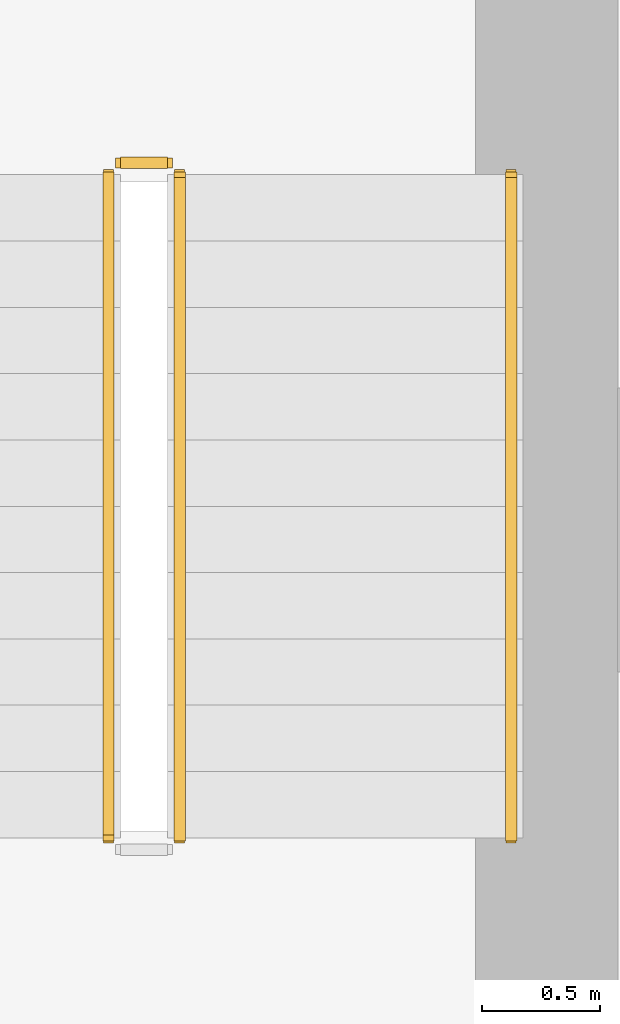
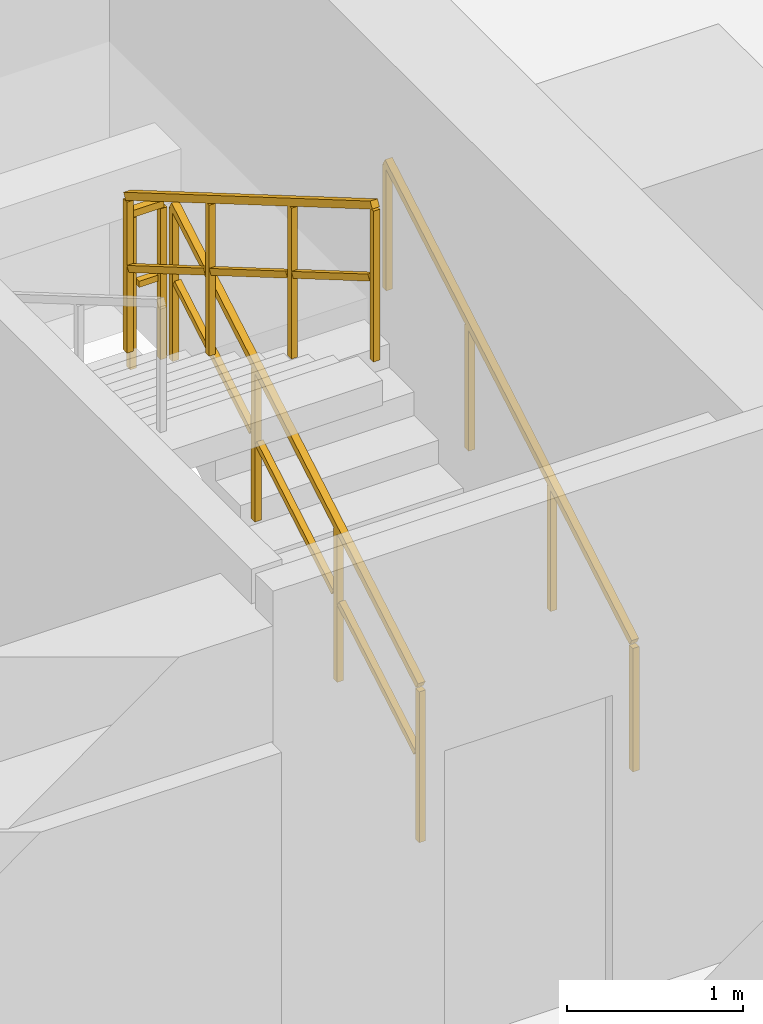
# One storey, part 33 of 33: 4 railings.
"""IFC4 building model written with IfcOpenShell, lengths in metres."""

from ifc_helpers import new_model, si_unit, direction, frame, origin, origin_2d, place, context, subcontext, project, spatial, rectangle, extrude, material, type_object, element, save


model = new_model("IFC4")

# Units and contexts
model_context = context("Model", 3, precision=1e-05, world=origin(), true_north=direction((0.0, 1.0)))
body_context = subcontext(model_context, "Body", "Model", "MODEL_VIEW")
ifc_project = project(units=[si_unit("LENGTHUNIT", "METRE"), si_unit("AREAUNIT", "SQUARE_METRE"), si_unit("VOLUMEUNIT", "CUBIC_METRE"), si_unit("PLANEANGLEUNIT", "RADIAN"), si_unit("MASSUNIT", "GRAM", prefix="KILO")], contexts=[model_context])

# Site, building, storey
site_placement = place(None, origin())
site = spatial("IfcSite", under=ifc_project, at=site_placement, CompositionType="ELEMENT")
building_placement = place(site_placement, origin())
building = spatial("IfcBuilding", under=site, at=building_placement, Name="Thornwick Lancets Civic Towers", CompositionType="ELEMENT")
storey_placement = place(building_placement, frame((0.0, 0.0, 112.5)))
storey = spatial("IfcBuildingStorey", under=building, at=storey_placement, Name="L29", CompositionType="ELEMENT", Elevation=112.5)

# Railings
ifc_material_1 = material(Name="Brushed stainless steel S355", Category="steel")
railing_type_1 = type_object("IfcRailingType", Name="RAIL_HANDRAIL", PredefinedType="HANDRAIL", material=ifc_material_1)
railing_1_placement = place(storey_placement, frame((100.449951171875, 20.89990234375, 0.16357421875)))
element("IfcRailing", 1, at=railing_1_placement, inside=storey, type_object=railing_type_1, Name="L29 ST-B1 stair handrail 1", PredefinedType="HANDRAIL", context=body_context, shape_type="SweptSolid", body=[
    extrude(rectangle(XDim=0.048095703125, YDim=0.048095703125, at=origin_2d()), frame((0.0, 0.0, 0.8857421875), z_axis=(0.0, 0.863360870873, 0.504586966384), x_axis=(-1.0, 0.0, 0.0)), (0.0, 0.0, 1.0), 3.2431640625),
    extrude(rectangle(XDim=0.0419921875, YDim=0.0419921875, at=origin_2d()), origin(), (0.0, 0.0, 1.0), 0.855712890625),
    extrude(rectangle(XDim=0.0419921875, YDim=0.0419921875, at=origin_2d()), frame((0.0, 0.933349609375, 0.54541015625)), (0.0, 0.0, 1.0), 0.855712890625),
    extrude(rectangle(XDim=0.0419921875, YDim=0.0419921875, at=origin_2d()), frame((0.0, 1.86669921875, 1.091064453125)), (0.0, 0.0, 1.0), 0.855712890625),
    extrude(rectangle(XDim=0.0419921875, YDim=0.0419921875, at=origin_2d()), frame((0.0, 2.800048828125, 1.636474609375)), (0.0, 0.0, 1.0), 0.855712890625),
])
ifc_material_2 = material(Name="Steel S355JR", Category="steel")
railing_type_2 = type_object("IfcRailingType", Name="RAIL_STAIR_GUARD", PredefinedType="GUARDRAIL", material=ifc_material_2)
railing_2_placement = place(storey_placement, frame((99.050048828125, 20.89990234375, 0.16357421875)))
element("IfcRailing", 2, at=railing_2_placement, inside=storey, type_object=railing_type_2, Name="L29 ST-B1 stair guard 1", PredefinedType="GUARDRAIL", context=body_context, shape_type="SweptSolid", body=[
    extrude(rectangle(XDim=0.048095703125, YDim=0.048095703125, at=origin_2d()), frame((0.0, 0.0, 1.076171875), z_axis=(0.0, 0.863360870873, 0.504586966384), x_axis=(-1.0, 0.0, 0.0)), (0.0, 0.0, 1.0), 3.2431640625),
    extrude(rectangle(XDim=0.0419921875, YDim=0.0419921875, at=origin_2d()), frame((0.0, 0.032470703125, 0.591064453125), z_axis=(0.0, 0.863360870873, 0.504586966384), x_axis=(-1.0, 0.0, 0.0)), (0.0, 0.0, 1.0), 1.006103515625),
    extrude(rectangle(XDim=0.0419921875, YDim=0.0419921875, at=origin_2d()), frame((0.0, 0.9658203125, 1.136474609375), z_axis=(0.0, 0.863360870873, 0.504586966384), x_axis=(-1.0, 0.0, 0.0)), (0.0, 0.0, 1.0), 1.006103515625),
    extrude(rectangle(XDim=0.0419921875, YDim=0.0419921875, at=origin_2d()), frame((0.0, 1.899169921875, 1.681884765625), z_axis=(0.0, 0.863360870873, 0.504586966384), x_axis=(-1.0, 0.0, 0.0)), (0.0, 0.0, 1.0), 1.006103515625),
    extrude(rectangle(XDim=0.0419921875, YDim=0.0419921875, at=origin_2d()), origin(), (0.0, 0.0, 1.0), 1.0458984375),
    extrude(rectangle(XDim=0.0419921875, YDim=0.0419921875, at=origin_2d()), frame((0.0, 0.933349609375, 0.54541015625)), (0.0, 0.0, 1.0), 1.0458984375),
    extrude(rectangle(XDim=0.0419921875, YDim=0.0419921875, at=origin_2d()), frame((0.0, 1.86669921875, 1.091064453125)), (0.0, 0.0, 1.0), 1.0458984375),
    extrude(rectangle(XDim=0.0419921875, YDim=0.0419921875, at=origin_2d()), frame((0.0, 2.800048828125, 1.636474609375)), (0.0, 0.0, 1.0), 1.0458984375),
])
railing_3_placement = place(storey_placement, frame((99.0, 23.75, 1.800048828125)))
element("IfcRailing", 3, at=railing_3_placement, inside=storey, type_object=railing_type_2, Name="L29 ST-B1 stair guard 2", PredefinedType="GUARDRAIL", context=body_context, shape_type="SweptSolid", body=[
    extrude(rectangle(XDim=0.048095703125, YDim=0.048095703125, at=origin_2d()), frame((0.0, 0.0, 1.076171875), z_axis=(-1.0, 0.0, 0.0), x_axis=(0.0, -1.0, 0.0)), (0.0, 0.0, 1.0), 0.199951171875),
    extrude(rectangle(XDim=0.0419921875, YDim=0.0419921875, at=origin_2d()), frame((-0.03759765625, 0.0, 0.572021484375), z_axis=(-1.0, 0.0, 0.0), x_axis=(0.0, -1.0, 0.0)), (0.0, 0.0, 1.0), 0.125),
    extrude(rectangle(XDim=0.0419921875, YDim=0.0419921875, at=origin_2d()), origin(), (0.0, 0.0, 1.0), 1.0458984375),
    extrude(rectangle(XDim=0.0419921875, YDim=0.0419921875, at=origin_2d()), frame((-0.199951171875, 0.0, 0.0)), (0.0, 0.0, 1.0), 1.0458984375),
])
railing_4_placement = place(storey_placement, frame((98.75, 23.699951171875, 1.963623046875)))
element("IfcRailing", 4, at=railing_4_placement, inside=storey, type_object=railing_type_2, Name="L29 ST-B1 stair guard 3", PredefinedType="GUARDRAIL", context=body_context, shape_type="SweptSolid", body=[
    extrude(rectangle(XDim=0.048095703125, YDim=0.048095703125, at=origin_2d()), frame((0.0, 0.0, 1.076171875), z_axis=(0.0, -0.863360870873, 0.504586966384), x_axis=(1.0, 0.0, 0.0)), (0.0, 0.0, 1.0), 3.2431640625),
    extrude(rectangle(XDim=0.0419921875, YDim=0.0419921875, at=origin_2d()), frame((0.0, -0.032470703125, 0.591064453125), z_axis=(0.0, -0.863360870873, 0.504586966384), x_axis=(1.0, 0.0, 0.0)), (0.0, 0.0, 1.0), 1.006103515625),
    extrude(rectangle(XDim=0.0419921875, YDim=0.0419921875, at=origin_2d()), frame((0.0, -0.9658203125, 1.136474609375), z_axis=(0.0, -0.863360870873, 0.504586966384), x_axis=(1.0, 0.0, 0.0)), (0.0, 0.0, 1.0), 1.006103515625),
    extrude(rectangle(XDim=0.0419921875, YDim=0.0419921875, at=origin_2d()), frame((0.0, -1.899169921875, 1.681884765625), z_axis=(0.0, -0.863360870873, 0.504586966384), x_axis=(1.0, 0.0, 0.0)), (0.0, 0.0, 1.0), 1.006103515625),
    extrude(rectangle(XDim=0.0419921875, YDim=0.0419921875, at=origin_2d()), origin(), (0.0, 0.0, 1.0), 1.0458984375),
    extrude(rectangle(XDim=0.0419921875, YDim=0.0419921875, at=origin_2d()), frame((0.0, -0.933349609375, 0.54541015625)), (0.0, 0.0, 1.0), 1.0458984375),
    extrude(rectangle(XDim=0.0419921875, YDim=0.0419921875, at=origin_2d()), frame((0.0, -1.86669921875, 1.091064453125)), (0.0, 0.0, 1.0), 1.0458984375),
    extrude(rectangle(XDim=0.0419921875, YDim=0.0419921875, at=origin_2d()), frame((0.0, -2.800048828125, 1.636474609375)), (0.0, 0.0, 1.0), 1.0458984375),
])

save(model, "model.ifc")
